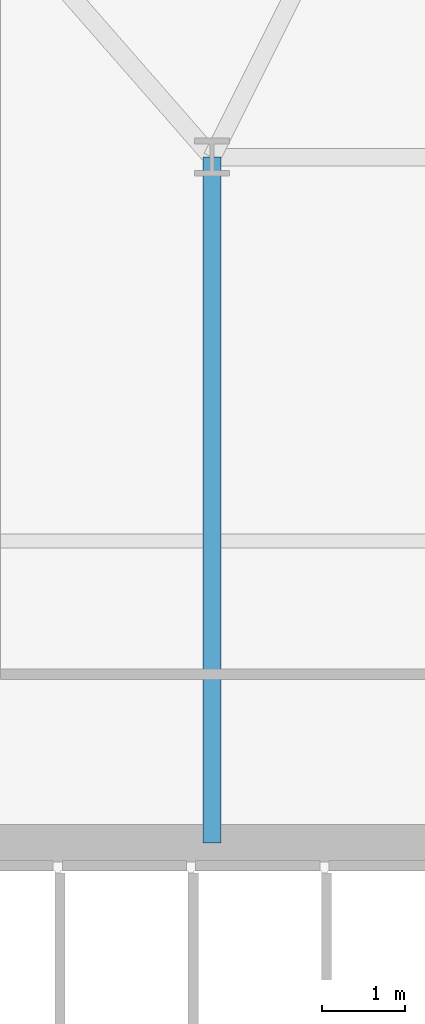
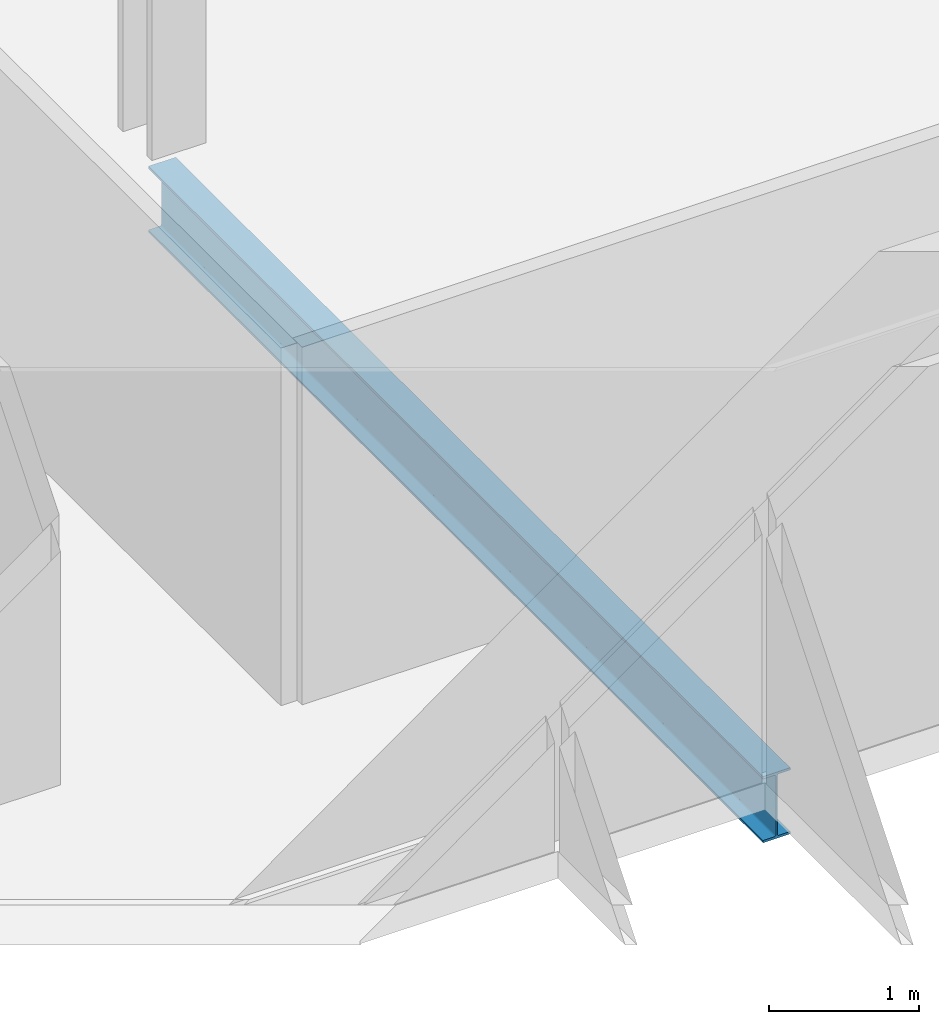
# One storey, part 6 of 32: 1 beam.
"""IFC4 building model written with IfcOpenShell, lengths in metres."""

from ifc_helpers import new_model, si_unit, direction, frame, origin, origin_2d, place, context, subcontext, project, spatial, i_section, extrude, material, material_profile, profile_set, type_object, element, save


model = new_model("IFC4")

# Units and contexts
model_context = context("Model", 3, precision=1e-05, world=origin(), true_north=direction((0.0, 1.0)))
body_context = subcontext(model_context, "Body", "Model", "MODEL_VIEW")
ifc_project = project(units=[si_unit("LENGTHUNIT", "METRE"), si_unit("AREAUNIT", "SQUARE_METRE"), si_unit("VOLUMEUNIT", "CUBIC_METRE"), si_unit("PLANEANGLEUNIT", "RADIAN"), si_unit("MASSUNIT", "GRAM", prefix="KILO")], contexts=[model_context])

# Site, building, storey
site_placement = place(None, origin())
site = spatial("IfcSite", under=ifc_project, at=site_placement, CompositionType="ELEMENT")
building_placement = place(site_placement, origin())
building = spatial("IfcBuilding", under=site, at=building_placement, Name="Ndaravel Arena Tower", CompositionType="ELEMENT")
storey_placement = place(building_placement, frame((0.0, 0.0, 93.0)))
storey = spatial("IfcBuildingStorey", under=building, at=storey_placement, Name="L21", CompositionType="ELEMENT", Elevation=93.0)

# Beam
ifc_material = material(Name="Steel S355", Category="steel")
ifc_material_profile = material_profile(ifc_material, i_section(OverallWidth=0.210693359375, OverallDepth=0.53955078125, WebThickness=0.01171875, FlangeThickness=0.018798828125, FilletRadius=0.0126953125, at=origin_2d()), Name="UB 533x210x109")
ifc_profile_set = profile_set([ifc_material_profile], Name="Steel S355")
beam_type = type_object("IfcBeamType", Name="BM-GIRD-UB533", PredefinedType="BEAM", material=ifc_profile_set)
beam_placement = place(storey_placement, frame((34.199951171875, 14.97998046875, -0.48974609375), z_axis=(0.0, 1.0, 0.0), x_axis=(-1.0, 0.0, 0.0)))
element("IfcBeam", 1, at=beam_placement, inside=storey, type_object=beam_type, Name="L21 Spine Link Girder SLG-01", PredefinedType="BEAM", context=body_context, shape_type="SweptSolid", body=[
    extrude(i_section(OverallWidth=0.210693359375, OverallDepth=0.53955078125, WebThickness=0.01171875, FlangeThickness=0.018798828125, FilletRadius=0.0126953125, at=origin_2d()), origin(), (0.0, 0.0, 1.0), 8.219970703125),
])

save(model, "model.ifc")
